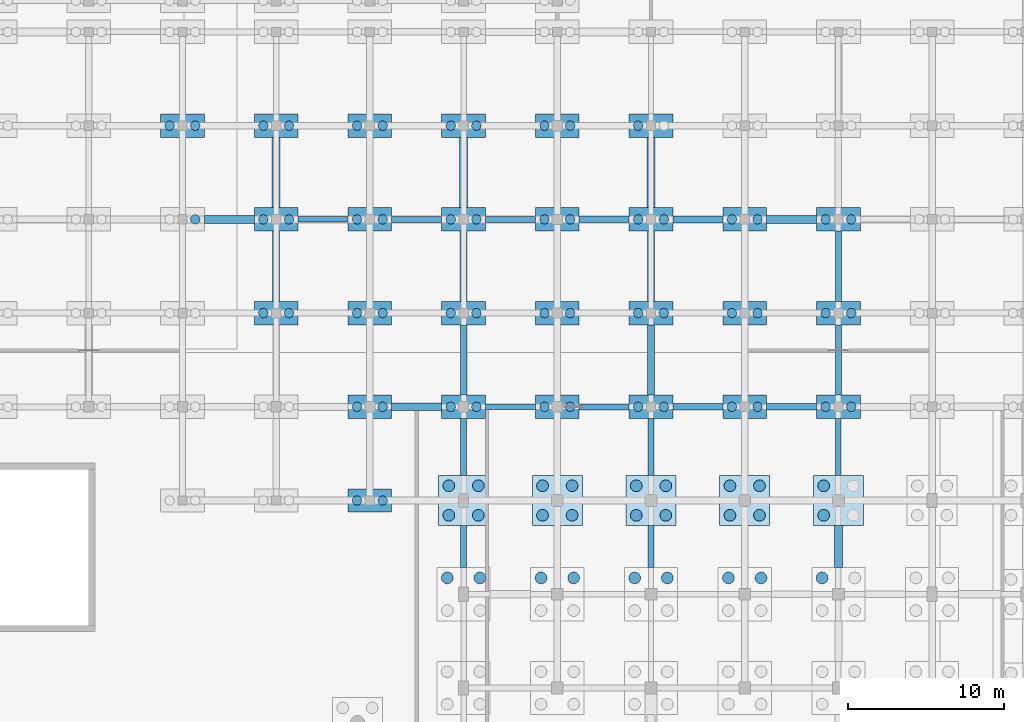
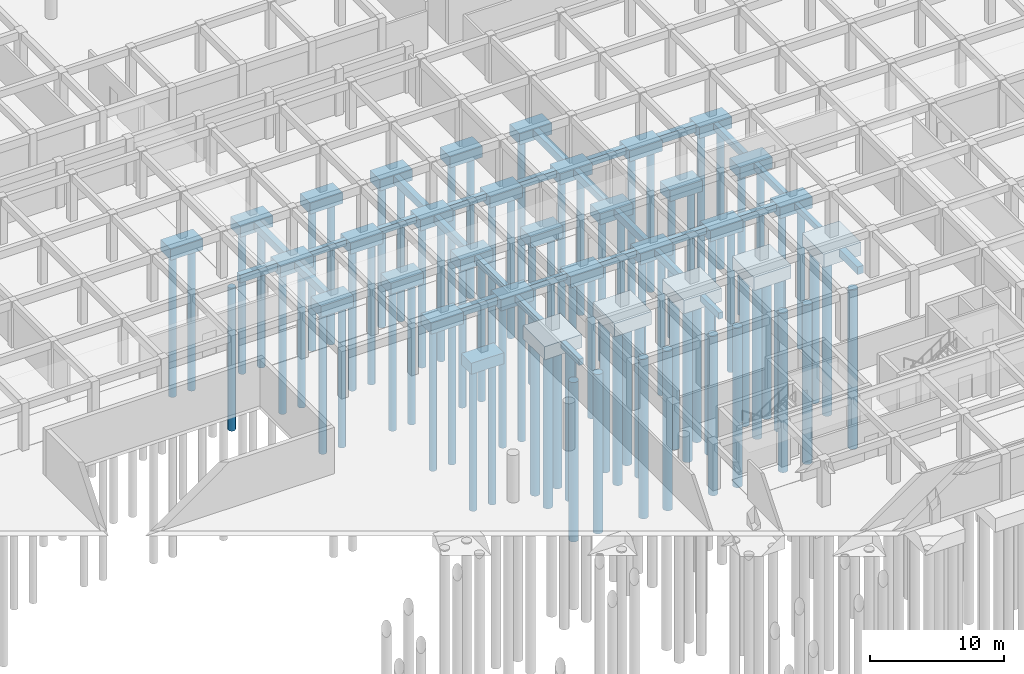
# One storey, part 5 of 41: 81 piles, 60 footings.
"""IFC4 building model written with IfcOpenShell, lengths in metres."""

from ifc_helpers import new_model, si_unit, direction, frame, origin, origin_2d, place, context, subcontext, project, spatial, polyline, rectangle, circle, outline, extrude, material, material_profile, profile_set, type_object, element, save


model = new_model("IFC4")

# Units and contexts
model_context = context("Model", 3, precision=1e-05, world=origin(), true_north=direction((0.0, 1.0)))
body_context = subcontext(model_context, "Body", "Model", "MODEL_VIEW")
ifc_project = project(units=[si_unit("LENGTHUNIT", "METRE"), si_unit("AREAUNIT", "SQUARE_METRE"), si_unit("VOLUMEUNIT", "CUBIC_METRE"), si_unit("PLANEANGLEUNIT", "RADIAN"), si_unit("MASSUNIT", "GRAM", prefix="KILO"), si_unit("POWERUNIT", "WATT"), si_unit("THERMODYNAMICTEMPERATUREUNIT", "KELVIN")], contexts=[model_context])

# Site, building, storey
site_placement = place(None, origin())
site = spatial("IfcSite", under=ifc_project, at=site_placement, CompositionType="ELEMENT")
building_placement = place(site_placement, origin())
building = spatial("IfcBuilding", under=site, at=building_placement, Name="Ruvembo Vaulted Housing Court", CompositionType="ELEMENT")
storey_placement = place(building_placement, frame((0.0, 0.0, -4.5)))
storey = spatial("IfcBuildingStorey", under=building, at=storey_placement, Name="B1", CompositionType="ELEMENT", Elevation=-4.5)

# Footings
ifc_material_1 = material(Name="Concrete C30/37", Category="concrete")
footing_type_1 = type_object("IfcFootingType", Name="GB-350x550", PredefinedType="FOOTING_BEAM", material=ifc_material_1)
footing_1_placement = place(storey_placement, frame((0.0, 0.0, -0.85009765625)))
element("IfcFooting", 1, at=footing_1_placement, inside=storey, type_object=footing_type_1, Name="Ground Tie Beam GB-072", PredefinedType="FOOTING_BEAM", context=body_context, shape_type="SweptSolid", body=[
    extrude(outline(polyline([(103.39990234375, 41.824951171875), (106.60009765625, 41.824951171875), (106.60009765625, 42.175048828125), (103.39990234375, 42.175048828125), (103.39990234375, 41.824951171875)])), origin(), (0.0, 0.0, 1.0), 0.550048828125),
])
footing_2_placement = place(storey_placement, frame((0.0, 0.0, -0.85009765625)))
element("IfcFooting", 2, at=footing_2_placement, inside=storey, type_object=footing_type_1, Name="Ground Tie Beam GB-096", PredefinedType="FOOTING_BEAM", context=body_context, shape_type="SweptSolid", body=[
    extrude(outline(polyline([(91.39990234375, 53.824951171875), (94.60009765625, 53.824951171875), (94.60009765625, 54.175048828125), (91.39990234375, 54.175048828125), (91.39990234375, 53.824951171875)])), origin(), (0.0, 0.0, 1.0), 0.550048828125),
])
footing_3_placement = place(storey_placement, frame((0.0, 0.0, -0.85009765625)))
element("IfcFooting", 3, at=footing_3_placement, inside=storey, type_object=footing_type_1, Name="Ground Tie Beam GB-288", PredefinedType="FOOTING_BEAM", context=body_context, shape_type="SweptSolid", body=[
    extrude(outline(polyline([(125.824951171875, 37.60009765625), (126.175048828125, 37.60009765625), (126.175048828125, 41.25), (125.824951171875, 41.25), (125.824951171875, 37.60009765625)])), origin(), (0.0, 0.0, 1.0), 0.550048828125),
])
footing_type_2 = type_object("IfcFootingType", Name="GB-380x580", PredefinedType="FOOTING_BEAM", material=ifc_material_1)
footing_4_placement = place(storey_placement, frame((0.0, 0.0, -0.8798828125)))
element("IfcFooting", 4, at=footing_4_placement, inside=storey, type_object=footing_type_2, Name="Ground Tie Beam GB-073", PredefinedType="FOOTING_BEAM", context=body_context, shape_type="SweptSolid", body=[
    extrude(outline(polyline([(109.39990234375, 41.81005859375), (112.60009765625, 41.81005859375), (112.60009765625, 42.18994140625), (109.39990234375, 42.18994140625), (109.39990234375, 41.81005859375)])), origin(), (0.0, 0.0, 1.0), 0.579833984375),
])
footing_5_placement = place(storey_placement, frame((0.0, 0.0, -0.8798828125)))
element("IfcFooting", 5, at=footing_5_placement, inside=storey, type_object=footing_type_2, Name="Ground Tie Beam GB-097", PredefinedType="FOOTING_BEAM", context=body_context, shape_type="SweptSolid", body=[
    extrude(outline(polyline([(97.39990234375, 53.81005859375), (100.60009765625, 53.81005859375), (100.60009765625, 54.18994140625), (97.39990234375, 54.18994140625), (97.39990234375, 53.81005859375)])), origin(), (0.0, 0.0, 1.0), 0.579833984375),
])
footing_6_placement = place(storey_placement, frame((0.0, 0.0, -0.8798828125)))
element("IfcFooting", 6, at=footing_6_placement, inside=storey, type_object=footing_type_2, Name="Ground Tie Beam GB-265", PredefinedType="FOOTING_BEAM", context=body_context, shape_type="SweptSolid", body=[
    extrude(outline(polyline([(101.81005859375, 31.699951171875), (102.18994140625, 31.699951171875), (102.18994140625, 34.39990234375), (101.81005859375, 34.39990234375), (101.81005859375, 31.699951171875)])), origin(), (0.0, 0.0, 1.0), 0.579833984375),
])
footing_7_placement = place(storey_placement, frame((0.0, 0.0, -0.8798828125)))
element("IfcFooting", 7, at=footing_7_placement, inside=storey, type_object=footing_type_2, Name="Ground Tie Beam GB-277", PredefinedType="FOOTING_BEAM", context=body_context, shape_type="SweptSolid", body=[
    extrude(outline(polyline([(113.81005859375, 31.699951171875), (114.18994140625, 31.699951171875), (114.18994140625, 34.39990234375), (113.81005859375, 34.39990234375), (113.81005859375, 31.699951171875)])), origin(), (0.0, 0.0, 1.0), 0.579833984375),
])
footing_8_placement = place(storey_placement, frame((0.0, 0.0, -0.8798828125)))
element("IfcFooting", 8, at=footing_8_placement, inside=storey, type_object=footing_type_2, Name="Ground Tie Beam GB-289", PredefinedType="FOOTING_BEAM", context=body_context, shape_type="SweptSolid", body=[
    extrude(outline(polyline([(125.81005859375, 42.75), (126.18994140625, 42.75), (126.18994140625, 47.25), (125.81005859375, 47.25), (125.81005859375, 42.75)])), origin(), (0.0, 0.0, 1.0), 0.579833984375),
])
footing_type_3 = type_object("IfcFootingType", Name="GB-400x600", PredefinedType="FOOTING_BEAM", material=ifc_material_1)
footing_9_placement = place(storey_placement, frame((0.0, 0.0, -0.89990234375)))
element("IfcFooting", 9, at=footing_9_placement, inside=storey, type_object=footing_type_3, Name="Ground Tie Beam GB-074", PredefinedType="FOOTING_BEAM", context=body_context, shape_type="SweptSolid", body=[
    extrude(outline(polyline([(115.39990234375, 41.800048828125), (118.60009765625, 41.800048828125), (118.60009765625, 42.199951171875), (115.39990234375, 42.199951171875), (115.39990234375, 41.800048828125)])), origin(), (0.0, 0.0, 1.0), 0.599853515625),
])
footing_10_placement = place(storey_placement, frame((0.0, 0.0, -0.89990234375)))
element("IfcFooting", 10, at=footing_10_placement, inside=storey, type_object=footing_type_3, Name="Ground Tie Beam GB-098", PredefinedType="FOOTING_BEAM", context=body_context, shape_type="SweptSolid", body=[
    extrude(outline(polyline([(103.39990234375, 53.800048828125), (106.60009765625, 53.800048828125), (106.60009765625, 54.199951171875), (103.39990234375, 54.199951171875), (103.39990234375, 53.800048828125)])), origin(), (0.0, 0.0, 1.0), 0.599853515625),
])
footing_11_placement = place(storey_placement, frame((0.0, 0.0, -0.89990234375)))
element("IfcFooting", 11, at=footing_11_placement, inside=storey, type_object=footing_type_3, Name="Ground Tie Beam GB-266", PredefinedType="FOOTING_BEAM", context=body_context, shape_type="SweptSolid", body=[
    extrude(outline(polyline([(101.800048828125, 37.60009765625), (102.199951171875, 37.60009765625), (102.199951171875, 41.25), (101.800048828125, 41.25), (101.800048828125, 37.60009765625)])), origin(), (0.0, 0.0, 1.0), 0.599853515625),
])
footing_12_placement = place(storey_placement, frame((0.0, 0.0, -0.89990234375)))
element("IfcFooting", 12, at=footing_12_placement, inside=storey, type_object=footing_type_3, Name="Ground Tie Beam GB-278", PredefinedType="FOOTING_BEAM", context=body_context, shape_type="SweptSolid", body=[
    extrude(outline(polyline([(113.800048828125, 37.60009765625), (114.199951171875, 37.60009765625), (114.199951171875, 41.25), (113.800048828125, 41.25), (113.800048828125, 37.60009765625)])), origin(), (0.0, 0.0, 1.0), 0.599853515625),
])
footing_13_placement = place(storey_placement, frame((0.0, 0.0, -0.89990234375)))
element("IfcFooting", 13, at=footing_13_placement, inside=storey, type_object=footing_type_3, Name="Ground Tie Beam GB-290", PredefinedType="FOOTING_BEAM", context=body_context, shape_type="SweptSolid", body=[
    extrude(outline(polyline([(125.800048828125, 48.75), (126.199951171875, 48.75), (126.199951171875, 53.25), (125.800048828125, 53.25), (125.800048828125, 48.75)])), origin(), (0.0, 0.0, 1.0), 0.599853515625),
])
footing_type_4 = type_object("IfcFootingType", Name="GB-420x620", PredefinedType="FOOTING_BEAM", material=ifc_material_1)
footing_14_placement = place(storey_placement, frame((0.0, 0.0, -0.919921875)))
element("IfcFooting", 14, at=footing_14_placement, inside=storey, type_object=footing_type_4, Name="Ground Tie Beam GB-075", PredefinedType="FOOTING_BEAM", context=body_context, shape_type="SweptSolid", body=[
    extrude(outline(polyline([(121.39990234375, 41.7900390625), (124.60009765625, 41.7900390625), (124.60009765625, 42.2099609375), (121.39990234375, 42.2099609375), (121.39990234375, 41.7900390625)])), origin(), (0.0, 0.0, 1.0), 0.619873046875),
])
footing_15_placement = place(storey_placement, frame((0.0, 0.0, -0.919921875)))
element("IfcFooting", 15, at=footing_15_placement, inside=storey, type_object=footing_type_4, Name="Ground Tie Beam GB-099", PredefinedType="FOOTING_BEAM", context=body_context, shape_type="SweptSolid", body=[
    extrude(outline(polyline([(109.39990234375, 53.7900390625), (112.60009765625, 53.7900390625), (112.60009765625, 54.2099609375), (109.39990234375, 54.2099609375), (109.39990234375, 53.7900390625)])), origin(), (0.0, 0.0, 1.0), 0.619873046875),
])
footing_16_placement = place(storey_placement, frame((0.0, 0.0, -0.919921875)))
element("IfcFooting", 16, at=footing_16_placement, inside=storey, type_object=footing_type_4, Name="Ground Tie Beam GB-267", PredefinedType="FOOTING_BEAM", context=body_context, shape_type="SweptSolid", body=[
    extrude(outline(polyline([(101.7900390625, 42.75), (102.2099609375, 42.75), (102.2099609375, 47.25), (101.7900390625, 47.25), (101.7900390625, 42.75)])), origin(), (0.0, 0.0, 1.0), 0.619873046875),
])
footing_17_placement = place(storey_placement, frame((0.0, 0.0, -0.919921875)))
element("IfcFooting", 17, at=footing_17_placement, inside=storey, type_object=footing_type_4, Name="Ground Tie Beam GB-279", PredefinedType="FOOTING_BEAM", context=body_context, shape_type="SweptSolid", body=[
    extrude(outline(polyline([(113.7900390625, 42.75), (114.2099609375, 42.75), (114.2099609375, 47.25), (113.7900390625, 47.25), (113.7900390625, 42.75)])), origin(), (0.0, 0.0, 1.0), 0.619873046875),
])
footing_type_5 = type_object("IfcFootingType", Name="GB-450x650", PredefinedType="FOOTING_BEAM", material=ifc_material_1)
footing_18_placement = place(storey_placement, frame((0.0, 0.0, -0.949951171875)))
element("IfcFooting", 18, at=footing_18_placement, inside=storey, type_object=footing_type_5, Name="Ground Tie Beam GB-100", PredefinedType="FOOTING_BEAM", context=body_context, shape_type="SweptSolid", body=[
    extrude(outline(polyline([(115.39990234375, 53.77490234375), (118.60009765625, 53.77490234375), (118.60009765625, 54.22509765625), (115.39990234375, 54.22509765625), (115.39990234375, 53.77490234375)])), origin(), (0.0, 0.0, 1.0), 0.64990234375),
])
footing_19_placement = place(storey_placement, frame((0.0, 0.0, -0.949951171875)))
element("IfcFooting", 19, at=footing_19_placement, inside=storey, type_object=footing_type_5, Name="Ground Tie Beam GB-256", PredefinedType="FOOTING_BEAM", context=body_context, shape_type="SweptSolid", body=[
    extrude(outline(polyline([(89.77490234375, 48.75), (90.22509765625, 48.75), (90.22509765625, 53.25), (89.77490234375, 53.25), (89.77490234375, 48.75)])), origin(), (0.0, 0.0, 1.0), 0.64990234375),
])
footing_20_placement = place(storey_placement, frame((0.0, 0.0, -0.949951171875)))
element("IfcFooting", 20, at=footing_20_placement, inside=storey, type_object=footing_type_5, Name="Ground Tie Beam GB-268", PredefinedType="FOOTING_BEAM", context=body_context, shape_type="SweptSolid", body=[
    extrude(outline(polyline([(101.77490234375, 48.75), (102.22509765625, 48.75), (102.22509765625, 53.25), (101.77490234375, 53.25), (101.77490234375, 48.75)])), origin(), (0.0, 0.0, 1.0), 0.64990234375),
])
footing_21_placement = place(storey_placement, frame((0.0, 0.0, -0.949951171875)))
element("IfcFooting", 21, at=footing_21_placement, inside=storey, type_object=footing_type_5, Name="Ground Tie Beam GB-280", PredefinedType="FOOTING_BEAM", context=body_context, shape_type="SweptSolid", body=[
    extrude(outline(polyline([(113.77490234375, 48.75), (114.22509765625, 48.75), (114.22509765625, 53.25), (113.77490234375, 53.25), (113.77490234375, 48.75)])), origin(), (0.0, 0.0, 1.0), 0.64990234375),
])
footing_type_6 = type_object("IfcFootingType", Name="GB-500x700", PredefinedType="FOOTING_BEAM", material=ifc_material_1)
footing_22_placement = place(storey_placement, frame((0.0, 0.0, -1.0)))
element("IfcFooting", 22, at=footing_22_placement, inside=storey, type_object=footing_type_6, Name="Ground Tie Beam GB-071", PredefinedType="FOOTING_BEAM", context=body_context, shape_type="SweptSolid", body=[
    extrude(outline(polyline([(97.39990234375, 41.75), (100.60009765625, 41.75), (100.60009765625, 42.25), (97.39990234375, 42.25), (97.39990234375, 41.75)])), origin(), (0.0, 0.0, 1.0), 0.699951171875),
])
footing_23_placement = place(storey_placement, frame((0.0, 0.0, -1.0)))
element("IfcFooting", 23, at=footing_23_placement, inside=storey, type_object=footing_type_6, Name="Ground Tie Beam GB-095", PredefinedType="FOOTING_BEAM", context=body_context, shape_type="SweptSolid", body=[
    extrude(outline(polyline([(85.39990234375, 53.75), (88.60009765625, 53.75), (88.60009765625, 54.25), (85.39990234375, 54.25), (85.39990234375, 53.75)])), origin(), (0.0, 0.0, 1.0), 0.699951171875),
])
footing_24_placement = place(storey_placement, frame((0.0, 0.0, -1.0)))
element("IfcFooting", 24, at=footing_24_placement, inside=storey, type_object=footing_type_6, Name="Ground Tie Beam GB-101", PredefinedType="FOOTING_BEAM", context=body_context, shape_type="SweptSolid", body=[
    extrude(outline(polyline([(121.39990234375, 53.75), (124.60009765625, 53.75), (124.60009765625, 54.25), (121.39990234375, 54.25), (121.39990234375, 53.75)])), origin(), (0.0, 0.0, 1.0), 0.699951171875),
])
footing_25_placement = place(storey_placement, frame((0.0, 0.0, -1.0)))
element("IfcFooting", 25, at=footing_25_placement, inside=storey, type_object=footing_type_6, Name="Ground Tie Beam GB-257", PredefinedType="FOOTING_BEAM", context=body_context, shape_type="SweptSolid", body=[
    extrude(outline(polyline([(89.75, 54.75), (90.25, 54.75), (90.25, 59.25), (89.75, 59.25), (89.75, 54.75)])), origin(), (0.0, 0.0, 1.0), 0.699951171875),
])
footing_26_placement = place(storey_placement, frame((0.0, 0.0, -1.0)))
element("IfcFooting", 26, at=footing_26_placement, inside=storey, type_object=footing_type_6, Name="Ground Tie Beam GB-269", PredefinedType="FOOTING_BEAM", context=body_context, shape_type="SweptSolid", body=[
    extrude(outline(polyline([(101.75, 54.75), (102.25, 54.75), (102.25, 59.25), (101.75, 59.25), (101.75, 54.75)])), origin(), (0.0, 0.0, 1.0), 0.699951171875),
])
footing_27_placement = place(storey_placement, frame((0.0, 0.0, -1.0)))
element("IfcFooting", 27, at=footing_27_placement, inside=storey, type_object=footing_type_6, Name="Ground Tie Beam GB-281", PredefinedType="FOOTING_BEAM", context=body_context, shape_type="SweptSolid", body=[
    extrude(outline(polyline([(113.75, 54.75), (114.25, 54.75), (114.25, 59.25), (113.75, 59.25), (113.75, 54.75)])), origin(), (0.0, 0.0, 1.0), 0.699951171875),
])
footing_28_placement = place(storey_placement, frame((0.0, 0.0, -1.0)))
element("IfcFooting", 28, at=footing_28_placement, inside=storey, type_object=footing_type_6, Name="Ground Tie Beam GB-287", PredefinedType="FOOTING_BEAM", context=body_context, shape_type="SweptSolid", body=[
    extrude(outline(polyline([(125.75, 31.699951171875), (126.25, 31.699951171875), (126.25, 34.39990234375), (125.75, 34.39990234375), (125.75, 31.699951171875)])), origin(), (0.0, 0.0, 1.0), 0.699951171875),
])
ifc_material_2 = material(Name="Concrete C35/45", Category="concrete")
footing_type_7 = type_object("IfcFootingType", Name="PC-2P-A", PredefinedType="PILE_CAP", material=ifc_material_2)
for number, where, z_axis, x_axis, name in (
    (29, (84.0, 60.0, -1.300048828125), (0.0, 0.0, 1.0), (1.0, 0.0, 0.0), "Pile Cap PC1 #173"),
    (30, (90.0, 48.0, -1.300048828125), (0.0, 0.0, 1.0), (1.0, 0.0, 0.0), "Pile Cap PC1 #186"),
    (31, (90.0, 54.0, -1.300048828125), (0.0, 0.0, 1.0), (1.0, 0.0, 0.0), "Pile Cap PC1 #187"),
    (32, (90.0, 60.0, -1.300048828125), (0.0, 0.0, 1.0), (1.0, 0.0, 0.0), "Pile Cap PC1 #188"),
    (33, (96.0, 36.0, -1.300048828125), (0.0, 0.0, 1.0), (1.0, 0.0, 0.0), "Pile Cap PC1 #193"),
    (34, (96.0, 42.0, -1.300048828125), (0.0, 0.0, 1.0), (1.0, 0.0, 0.0), "Pile Cap PC1 #194"),
    (35, (96.0, 48.0, -1.300048828125), (0.0, 0.0, 1.0), (1.0, 0.0, 0.0), "Pile Cap PC1 #195"),
    (36, (96.0, 54.0, -1.300048828125), (0.0, 0.0, 1.0), (1.0, 0.0, 0.0), "Pile Cap PC1 #196"),
    (37, (96.0, 60.0, -1.300048828125), (0.0, 0.0, 1.0), (1.0, 0.0, 0.0), "Pile Cap PC1 #197"),
    (38, (102.0, 42.0, -1.300048828125), (0.0, 0.0, 1.0), (1.0, 0.0, 0.0), "Pile Cap PC1 #207"),
    (39, (102.0, 48.0, -1.300048828125), (0.0, 0.0, 1.0), (1.0, 0.0, 0.0), "Pile Cap PC1 #208"),
    (40, (102.0, 54.0, -1.300048828125), (0.0, 0.0, 1.0), (1.0, 0.0, 0.0), "Pile Cap PC1 #209"),
    (41, (102.0, 60.0, -1.300048828125), (0.0, 0.0, 1.0), (1.0, 0.0, 0.0), "Pile Cap PC1 #210"),
    (42, (108.0, 42.0, -1.300048828125), (0.0, 0.0, 1.0), (1.0, 0.0, 0.0), "Pile Cap PC1 #220"),
    (43, (108.0, 48.0, -1.300048828125), (0.0, 0.0, 1.0), (1.0, 0.0, 0.0), "Pile Cap PC1 #221"),
    (44, (108.0, 54.0, -1.300048828125), (0.0, 0.0, 1.0), (1.0, 0.0, 0.0), "Pile Cap PC1 #222"),
    (45, (108.0, 60.0, -1.300048828125), (0.0, 0.0, 1.0), (1.0, 0.0, 0.0), "Pile Cap PC1 #223"),
    (46, (114.0, 42.0, -1.300048828125), (0.0, 0.0, 1.0), (1.0, 0.0, 0.0), "Pile Cap PC1 #233"),
    (47, (114.0, 48.0, -1.300048828125), (0.0, 0.0, 1.0), (1.0, 0.0, 0.0), "Pile Cap PC1 #234"),
    (48, (114.0, 54.0, -1.300048828125), (0.0, 0.0, 1.0), (1.0, 0.0, 0.0), "Pile Cap PC1 #235"),
    (49, (114.0, 60.0, -1.300048828125), (0.0, 0.0, 1.0), (1.0, 0.0, 0.0), "Pile Cap PC1 #236"),
    (50, (120.0, 42.0, -1.300048828125), (0.0, 0.0, 1.0), (1.0, 0.0, 0.0), "Pile Cap PC1 #243"),
    (51, (120.0, 48.0, -1.300048828125), (0.0, 0.0, 1.0), (1.0, 0.0, 0.0), "Pile Cap PC1 #244"),
    (52, (120.0, 54.0, -1.300048828125), (0.0, 0.0, 1.0), (1.0, 0.0, 0.0), "Pile Cap PC1 #245"),
    (53, (126.0, 42.0, -1.300048828125), (0.0, 0.0, 1.0), (1.0, 0.0, 0.0), "Pile Cap PC1 #253"),
    (54, (126.0, 48.0, -1.300048828125), (0.0, 0.0, 1.0), (1.0, 0.0, 0.0), "Pile Cap PC1 #254"),
    (55, (126.0, 54.0, -1.300048828125), (0.0, 0.0, 1.0), (1.0, 0.0, 0.0), "Pile Cap PC1 #255"),
):
    element("IfcFooting", number, at=place(storey_placement, frame(where, z_axis=z_axis, x_axis=x_axis)), inside=storey, type_object=footing_type_7, Name=name, PredefinedType="PILE_CAP", context=body_context, shape_type="SweptSolid", body=[
        extrude(rectangle(XDim=2.800048828125, YDim=1.5, at=origin_2d()), origin(), (0.0, 0.0, 1.0), 1.0),
    ])
footing_type_8 = type_object("IfcFootingType", Name="PC-4P-A", PredefinedType="PILE_CAP", material=ifc_material_2)
for number, where, z_axis, x_axis, name in (
    (56, (102.0, 36.0, -1.5), (0.0, 0.0, 1.0), (1.0, 0.0, 0.0), "Pile Cap PC4 #206"),
    (57, (108.0, 36.0, -1.5), (0.0, 0.0, 1.0), (1.0, 0.0, 0.0), "Pile Cap PC4 #219"),
    (58, (114.0, 36.0, -1.5), (0.0, 0.0, 1.0), (1.0, 0.0, 0.0), "Pile Cap PC4 #232"),
    (59, (120.0, 36.0, -1.5), (0.0, 0.0, 1.0), (1.0, 0.0, 0.0), "Pile Cap PC4 #242"),
    (60, (126.0, 36.0, -1.5), (0.0, 0.0, 1.0), (1.0, 0.0, 0.0), "Pile Cap PC4 #252"),
):
    element("IfcFooting", number, at=place(storey_placement, frame(where, z_axis=z_axis, x_axis=x_axis)), inside=storey, type_object=footing_type_8, Name=name, PredefinedType="PILE_CAP", context=body_context, shape_type="SweptSolid", body=[
        extrude(rectangle(XDim=3.199951171875, YDim=3.199951171875, at=origin_2d()), origin(), (0.0, 0.0, 1.0), 1.199951171875),
    ])

# Piles
ifc_material_profile_1 = material_profile(ifc_material_1, circle(Radius=0.300048828125, at=origin_2d()), Name="PILE D600")
ifc_profile_set_1 = profile_set([ifc_material_profile_1], Name="Concrete C30/37")
pile_type_1 = type_object("IfcPileType", Name="PILE-BORED-600", PredefinedType="BORED", material=ifc_profile_set_1)
for number, where, z_axis, x_axis, name in (
    (61, (84.820068359375, 54.0, -1.199951171875), (0.0, 0.0, -1.0), (1.0, 0.0, 0.0), "Bored Pile PILE-0494"),
    (62, (83.179931640625, 60.0, -1.199951171875), (0.0, 0.0, -1.0), (1.0, 0.0, 0.0), "Bored Pile PILE-0495"),
    (63, (84.820068359375, 60.0, -1.199951171875), (0.0, 0.0, -1.0), (1.0, 0.0, 0.0), "Bored Pile PILE-0496"),
    (64, (89.179931640625, 48.0, -1.199951171875), (0.0, 0.0, -1.0), (1.0, 0.0, 0.0), "Bored Pile PILE-0521"),
    (65, (90.820068359375, 48.0, -1.199951171875), (0.0, 0.0, -1.0), (1.0, 0.0, 0.0), "Bored Pile PILE-0522"),
    (66, (89.179931640625, 54.0, -1.199951171875), (0.0, 0.0, -1.0), (1.0, 0.0, 0.0), "Bored Pile PILE-0523"),
    (67, (90.820068359375, 54.0, -1.199951171875), (0.0, 0.0, -1.0), (1.0, 0.0, 0.0), "Bored Pile PILE-0524"),
    (68, (89.179931640625, 60.0, -1.199951171875), (0.0, 0.0, -1.0), (1.0, 0.0, 0.0), "Bored Pile PILE-0525"),
    (69, (90.820068359375, 60.0, -1.199951171875), (0.0, 0.0, -1.0), (1.0, 0.0, 0.0), "Bored Pile PILE-0526"),
    (70, (95.179931640625, 36.0, -1.199951171875), (0.0, 0.0, -1.0), (1.0, 0.0, 0.0), "Bored Pile PILE-0535"),
    (71, (96.820068359375, 36.0, -1.199951171875), (0.0, 0.0, -1.0), (1.0, 0.0, 0.0), "Bored Pile PILE-0536"),
    (72, (95.179931640625, 42.0, -1.199951171875), (0.0, 0.0, -1.0), (1.0, 0.0, 0.0), "Bored Pile PILE-0537"),
    (73, (96.820068359375, 42.0, -1.199951171875), (0.0, 0.0, -1.0), (1.0, 0.0, 0.0), "Bored Pile PILE-0538"),
    (74, (95.179931640625, 48.0, -1.199951171875), (0.0, 0.0, -1.0), (1.0, 0.0, 0.0), "Bored Pile PILE-0539"),
    (75, (96.820068359375, 48.0, -1.199951171875), (0.0, 0.0, -1.0), (1.0, 0.0, 0.0), "Bored Pile PILE-0540"),
    (76, (95.179931640625, 54.0, -1.199951171875), (0.0, 0.0, -1.0), (1.0, 0.0, 0.0), "Bored Pile PILE-0541"),
    (77, (96.820068359375, 54.0, -1.199951171875), (0.0, 0.0, -1.0), (1.0, 0.0, 0.0), "Bored Pile PILE-0542"),
    (78, (95.179931640625, 60.0, -1.199951171875), (0.0, 0.0, -1.0), (1.0, 0.0, 0.0), "Bored Pile PILE-0543"),
    (79, (96.820068359375, 60.0, -1.199951171875), (0.0, 0.0, -1.0), (1.0, 0.0, 0.0), "Bored Pile PILE-0544"),
    (80, (101.179931640625, 42.0, -1.199951171875), (0.0, 0.0, -1.0), (1.0, 0.0, 0.0), "Bored Pile PILE-0573"),
    (81, (102.820068359375, 42.0, -1.199951171875), (0.0, 0.0, -1.0), (1.0, 0.0, 0.0), "Bored Pile PILE-0574"),
    (82, (101.179931640625, 48.0, -1.199951171875), (0.0, 0.0, -1.0), (1.0, 0.0, 0.0), "Bored Pile PILE-0575"),
    (83, (102.820068359375, 48.0, -1.199951171875), (0.0, 0.0, -1.0), (1.0, 0.0, 0.0), "Bored Pile PILE-0576"),
    (84, (101.179931640625, 54.0, -1.199951171875), (0.0, 0.0, -1.0), (1.0, 0.0, 0.0), "Bored Pile PILE-0577"),
    (85, (102.820068359375, 54.0, -1.199951171875), (0.0, 0.0, -1.0), (1.0, 0.0, 0.0), "Bored Pile PILE-0578"),
    (86, (101.179931640625, 60.0, -1.199951171875), (0.0, 0.0, -1.0), (1.0, 0.0, 0.0), "Bored Pile PILE-0579"),
    (87, (102.820068359375, 60.0, -1.199951171875), (0.0, 0.0, -1.0), (1.0, 0.0, 0.0), "Bored Pile PILE-0580"),
    (88, (107.179931640625, 42.0, -1.199951171875), (0.0, 0.0, -1.0), (1.0, 0.0, 0.0), "Bored Pile PILE-0609"),
    (89, (108.820068359375, 42.0, -1.199951171875), (0.0, 0.0, -1.0), (1.0, 0.0, 0.0), "Bored Pile PILE-0610"),
    (90, (107.179931640625, 48.0, -1.199951171875), (0.0, 0.0, -1.0), (1.0, 0.0, 0.0), "Bored Pile PILE-0611"),
    (91, (108.820068359375, 48.0, -1.199951171875), (0.0, 0.0, -1.0), (1.0, 0.0, 0.0), "Bored Pile PILE-0612"),
    (92, (107.179931640625, 54.0, -1.199951171875), (0.0, 0.0, -1.0), (1.0, 0.0, 0.0), "Bored Pile PILE-0613"),
    (93, (108.820068359375, 54.0, -1.199951171875), (0.0, 0.0, -1.0), (1.0, 0.0, 0.0), "Bored Pile PILE-0614"),
    (94, (107.179931640625, 60.0, -1.199951171875), (0.0, 0.0, -1.0), (1.0, 0.0, 0.0), "Bored Pile PILE-0615"),
    (95, (108.820068359375, 60.0, -1.199951171875), (0.0, 0.0, -1.0), (1.0, 0.0, 0.0), "Bored Pile PILE-0616"),
    (96, (113.179931640625, 42.0, -1.199951171875), (0.0, 0.0, -1.0), (1.0, 0.0, 0.0), "Bored Pile PILE-0645"),
    (97, (114.820068359375, 42.0, -1.199951171875), (0.0, 0.0, -1.0), (1.0, 0.0, 0.0), "Bored Pile PILE-0646"),
    (98, (113.179931640625, 48.0, -1.199951171875), (0.0, 0.0, -1.0), (1.0, 0.0, 0.0), "Bored Pile PILE-0647"),
    (99, (114.820068359375, 48.0, -1.199951171875), (0.0, 0.0, -1.0), (1.0, 0.0, 0.0), "Bored Pile PILE-0648"),
    (100, (113.179931640625, 54.0, -1.199951171875), (0.0, 0.0, -1.0), (1.0, 0.0, 0.0), "Bored Pile PILE-0649"),
    (101, (114.820068359375, 54.0, -1.199951171875), (0.0, 0.0, -1.0), (1.0, 0.0, 0.0), "Bored Pile PILE-0650"),
    (102, (113.179931640625, 60.0, -1.199951171875), (0.0, 0.0, -1.0), (1.0, 0.0, 0.0), "Bored Pile PILE-0651"),
    (103, (119.179931640625, 42.0, -1.199951171875), (0.0, 0.0, -1.0), (1.0, 0.0, 0.0), "Bored Pile PILE-0675"),
    (104, (120.820068359375, 42.0, -1.199951171875), (0.0, 0.0, -1.0), (1.0, 0.0, 0.0), "Bored Pile PILE-0676"),
    (105, (119.179931640625, 48.0, -1.199951171875), (0.0, 0.0, -1.0), (1.0, 0.0, 0.0), "Bored Pile PILE-0677"),
    (106, (120.820068359375, 48.0, -1.199951171875), (0.0, 0.0, -1.0), (1.0, 0.0, 0.0), "Bored Pile PILE-0678"),
    (107, (119.179931640625, 54.0, -1.199951171875), (0.0, 0.0, -1.0), (1.0, 0.0, 0.0), "Bored Pile PILE-0679"),
    (108, (120.820068359375, 54.0, -1.199951171875), (0.0, 0.0, -1.0), (1.0, 0.0, 0.0), "Bored Pile PILE-0680"),
    (109, (125.179931640625, 42.0, -1.199951171875), (0.0, 0.0, -1.0), (1.0, 0.0, 0.0), "Bored Pile PILE-0705"),
    (110, (126.820068359375, 42.0, -1.199951171875), (0.0, 0.0, -1.0), (1.0, 0.0, 0.0), "Bored Pile PILE-0706"),
    (111, (125.179931640625, 48.0, -1.199951171875), (0.0, 0.0, -1.0), (1.0, 0.0, 0.0), "Bored Pile PILE-0707"),
    (112, (126.820068359375, 48.0, -1.199951171875), (0.0, 0.0, -1.0), (1.0, 0.0, 0.0), "Bored Pile PILE-0708"),
    (113, (125.179931640625, 54.0, -1.199951171875), (0.0, 0.0, -1.0), (1.0, 0.0, 0.0), "Bored Pile PILE-0709"),
    (114, (126.820068359375, 54.0, -1.199951171875), (0.0, 0.0, -1.0), (1.0, 0.0, 0.0), "Bored Pile PILE-0710"),
):
    element("IfcPile", number, at=place(storey_placement, frame(where, z_axis=z_axis, x_axis=x_axis)), inside=storey, type_object=pile_type_1, Name=name, PredefinedType="BORED", context=body_context, shape_type="SweptSolid", body=[
        extrude(circle(Radius=0.300048828125, at=origin_2d()), origin(), (0.0, 0.0, 1.0), 13.0),
    ])
ifc_material_profile_2 = material_profile(ifc_material_1, circle(Radius=0.375, at=origin_2d()), Name="PILE D750")
ifc_profile_set_2 = profile_set([ifc_material_profile_2], Name="Concrete C30/37")
pile_type_2 = type_object("IfcPileType", Name="PILE-BORED-750", PredefinedType="BORED", material=ifc_profile_set_2)
for number, where, z_axis, x_axis, name in (
    (115, (100.955078125, 31.044921875, -1.449951171875), (0.0, 0.0, -1.0), (1.0, 0.0, 0.0), "Bored Pile PILE-0567"),
    (116, (103.044921875, 31.044921875, -1.449951171875), (0.0, 0.0, -1.0), (1.0, 0.0, 0.0), "Bored Pile PILE-0568"),
):
    element("IfcPile", number, at=place(storey_placement, frame(where, z_axis=z_axis, x_axis=x_axis)), inside=storey, type_object=pile_type_2, Name=name, PredefinedType="BORED", context=body_context, shape_type="SweptSolid", body=[
        extrude(circle(Radius=0.375, at=origin_2d()), origin(), (0.0, 0.0, 1.0), 14.5),
    ])
for number, where, z_axis, x_axis, name in (
    (117, (101.054931640625, 35.054931640625, -1.39990234375), (0.0, 0.0, -1.0), (1.0, 0.0, 0.0), "Bored Pile PILE-0569"),
    (118, (102.945068359375, 35.054931640625, -1.39990234375), (0.0, 0.0, -1.0), (1.0, 0.0, 0.0), "Bored Pile PILE-0570"),
    (119, (101.054931640625, 36.945068359375, -1.39990234375), (0.0, 0.0, -1.0), (1.0, 0.0, 0.0), "Bored Pile PILE-0571"),
    (120, (102.945068359375, 36.945068359375, -1.39990234375), (0.0, 0.0, -1.0), (1.0, 0.0, 0.0), "Bored Pile PILE-0572"),
):
    element("IfcPile", number, at=place(storey_placement, frame(where, z_axis=z_axis, x_axis=x_axis)), inside=storey, type_object=pile_type_2, Name=name, PredefinedType="BORED", context=body_context, shape_type="SweptSolid", body=[
        extrude(circle(Radius=0.375, at=origin_2d()), origin(), (0.0, 0.0, 1.0), 14.0),
    ])
for number, where, z_axis, x_axis, name in (
    (121, (106.955078125, 31.044921875, -1.449951171875), (0.0, 0.0, -1.0), (1.0, 0.0, 0.0), "Bored Pile PILE-0603"),
    (122, (109.044921875, 31.044921875, -1.449951171875), (0.0, 0.0, -1.0), (1.0, 0.0, 0.0), "Bored Pile PILE-0604"),
):
    element("IfcPile", number, at=place(storey_placement, frame(where, z_axis=z_axis, x_axis=x_axis)), inside=storey, type_object=pile_type_2, Name=name, PredefinedType="BORED", context=body_context, shape_type="SweptSolid", body=[
        extrude(circle(Radius=0.375, at=origin_2d()), origin(), (0.0, 0.0, 1.0), 14.5),
    ])
for number, where, z_axis, x_axis, name in (
    (123, (107.054931640625, 35.054931640625, -1.39990234375), (0.0, 0.0, -1.0), (1.0, 0.0, 0.0), "Bored Pile PILE-0605"),
    (124, (108.945068359375, 35.054931640625, -1.39990234375), (0.0, 0.0, -1.0), (1.0, 0.0, 0.0), "Bored Pile PILE-0606"),
    (125, (107.054931640625, 36.945068359375, -1.39990234375), (0.0, 0.0, -1.0), (1.0, 0.0, 0.0), "Bored Pile PILE-0607"),
    (126, (108.945068359375, 36.945068359375, -1.39990234375), (0.0, 0.0, -1.0), (1.0, 0.0, 0.0), "Bored Pile PILE-0608"),
):
    element("IfcPile", number, at=place(storey_placement, frame(where, z_axis=z_axis, x_axis=x_axis)), inside=storey, type_object=pile_type_2, Name=name, PredefinedType="BORED", context=body_context, shape_type="SweptSolid", body=[
        extrude(circle(Radius=0.375, at=origin_2d()), origin(), (0.0, 0.0, 1.0), 14.0),
    ])
for number, where, z_axis, x_axis, name in (
    (127, (112.955078125, 31.044921875, -1.449951171875), (0.0, 0.0, -1.0), (1.0, 0.0, 0.0), "Bored Pile PILE-0639"),
    (128, (115.044921875, 31.044921875, -1.449951171875), (0.0, 0.0, -1.0), (1.0, 0.0, 0.0), "Bored Pile PILE-0640"),
):
    element("IfcPile", number, at=place(storey_placement, frame(where, z_axis=z_axis, x_axis=x_axis)), inside=storey, type_object=pile_type_2, Name=name, PredefinedType="BORED", context=body_context, shape_type="SweptSolid", body=[
        extrude(circle(Radius=0.375, at=origin_2d()), origin(), (0.0, 0.0, 1.0), 14.5),
    ])
for number, where, z_axis, x_axis, name in (
    (129, (113.054931640625, 35.054931640625, -1.39990234375), (0.0, 0.0, -1.0), (1.0, 0.0, 0.0), "Bored Pile PILE-0641"),
    (130, (114.945068359375, 35.054931640625, -1.39990234375), (0.0, 0.0, -1.0), (1.0, 0.0, 0.0), "Bored Pile PILE-0642"),
    (131, (113.054931640625, 36.945068359375, -1.39990234375), (0.0, 0.0, -1.0), (1.0, 0.0, 0.0), "Bored Pile PILE-0643"),
    (132, (114.945068359375, 36.945068359375, -1.39990234375), (0.0, 0.0, -1.0), (1.0, 0.0, 0.0), "Bored Pile PILE-0644"),
):
    element("IfcPile", number, at=place(storey_placement, frame(where, z_axis=z_axis, x_axis=x_axis)), inside=storey, type_object=pile_type_2, Name=name, PredefinedType="BORED", context=body_context, shape_type="SweptSolid", body=[
        extrude(circle(Radius=0.375, at=origin_2d()), origin(), (0.0, 0.0, 1.0), 14.0),
    ])
for number, where, z_axis, x_axis, name in (
    (133, (118.955078125, 31.044921875, -1.449951171875), (0.0, 0.0, -1.0), (1.0, 0.0, 0.0), "Bored Pile PILE-0669"),
    (134, (121.044921875, 31.044921875, -1.449951171875), (0.0, 0.0, -1.0), (1.0, 0.0, 0.0), "Bored Pile PILE-0670"),
):
    element("IfcPile", number, at=place(storey_placement, frame(where, z_axis=z_axis, x_axis=x_axis)), inside=storey, type_object=pile_type_2, Name=name, PredefinedType="BORED", context=body_context, shape_type="SweptSolid", body=[
        extrude(circle(Radius=0.375, at=origin_2d()), origin(), (0.0, 0.0, 1.0), 14.5),
    ])
for number, where, z_axis, x_axis, name in (
    (135, (119.054931640625, 35.054931640625, -1.39990234375), (0.0, 0.0, -1.0), (1.0, 0.0, 0.0), "Bored Pile PILE-0671"),
    (136, (120.945068359375, 35.054931640625, -1.39990234375), (0.0, 0.0, -1.0), (1.0, 0.0, 0.0), "Bored Pile PILE-0672"),
    (137, (119.054931640625, 36.945068359375, -1.39990234375), (0.0, 0.0, -1.0), (1.0, 0.0, 0.0), "Bored Pile PILE-0673"),
    (138, (120.945068359375, 36.945068359375, -1.39990234375), (0.0, 0.0, -1.0), (1.0, 0.0, 0.0), "Bored Pile PILE-0674"),
):
    element("IfcPile", number, at=place(storey_placement, frame(where, z_axis=z_axis, x_axis=x_axis)), inside=storey, type_object=pile_type_2, Name=name, PredefinedType="BORED", context=body_context, shape_type="SweptSolid", body=[
        extrude(circle(Radius=0.375, at=origin_2d()), origin(), (0.0, 0.0, 1.0), 14.0),
    ])
pile_placement = place(storey_placement, frame((124.955078125, 31.044921875, -1.449951171875), z_axis=(0.0, 0.0, -1.0), x_axis=(1.0, 0.0, 0.0)))
element("IfcPile", 139, at=pile_placement, inside=storey, type_object=pile_type_2, Name="Bored Pile PILE-0699", PredefinedType="BORED", context=body_context, shape_type="SweptSolid", body=[
    extrude(circle(Radius=0.375, at=origin_2d()), origin(), (0.0, 0.0, 1.0), 14.5),
])
for number, where, z_axis, x_axis, name in (
    (140, (125.054931640625, 35.054931640625, -1.39990234375), (0.0, 0.0, -1.0), (1.0, 0.0, 0.0), "Bored Pile PILE-0701"),
    (141, (125.054931640625, 36.945068359375, -1.39990234375), (0.0, 0.0, -1.0), (1.0, 0.0, 0.0), "Bored Pile PILE-0703"),
):
    element("IfcPile", number, at=place(storey_placement, frame(where, z_axis=z_axis, x_axis=x_axis)), inside=storey, type_object=pile_type_2, Name=name, PredefinedType="BORED", context=body_context, shape_type="SweptSolid", body=[
        extrude(circle(Radius=0.375, at=origin_2d()), origin(), (0.0, 0.0, 1.0), 14.0),
    ])

save(model, "model.ifc")
